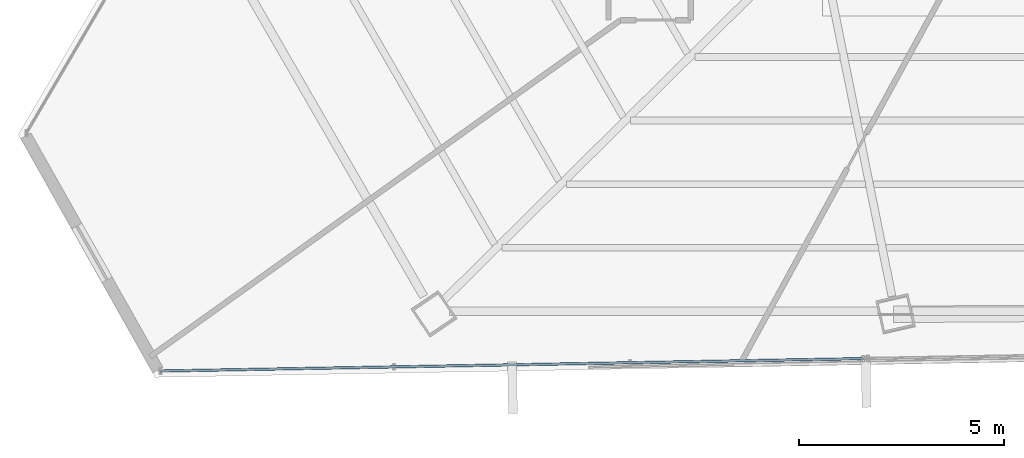
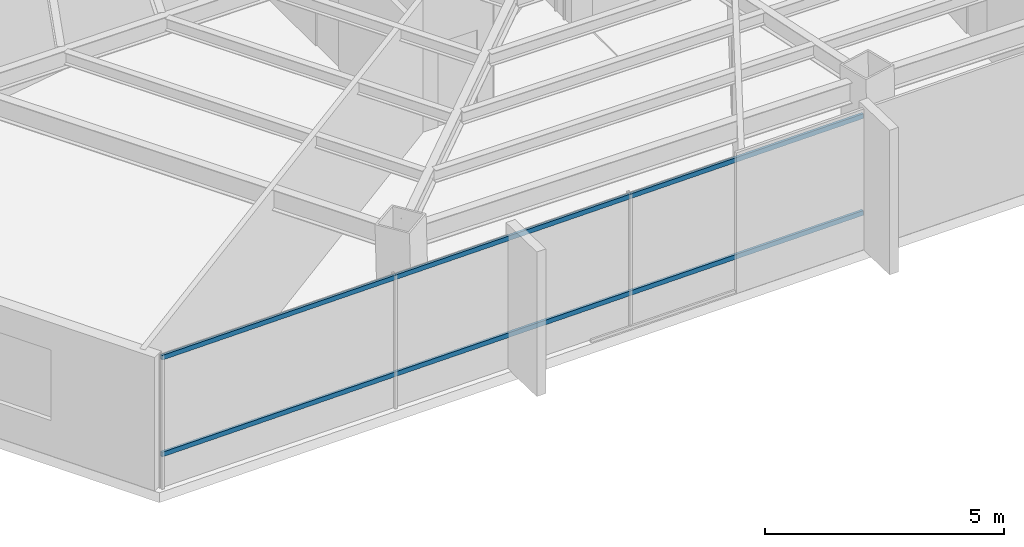
# One storey, part 5 of 42: 2 members, 1 element without a shape of its own.
"""IFC4 building model written with IfcOpenShell, lengths in metres."""

import ifcopenshell
import ifcopenshell.guid

model = None  # the IFC model being written
_history = None  # IfcOwnerHistory: only IFC2X3 demands one
_inside = {}  # id of a spatial element -> (the spatial element, [elements in it])
_under = {}  # id of a project, library or spatial element -> (it, [spatial elements below it])
_declared = {}  # id of a project -> (the project, [libraries it declares])
_typed = {}  # id of a type object -> (the type object, [elements of that type])
_made_of = {}  # id of a material, layer set ... -> (it, [elements and type objects made of it])


def new_model(schema):
    """Start an empty IFC model of exactly this schema.

    Asked for "IFC4X3", IfcOpenShell would pick the latest addendum, in which some entities
    have other attributes; the version numbers below select the first issue.
    IFC2X3 requires an IfcOwnerHistory on every rooted entity: one is made here for all.
    """
    global model, _history
    if schema == "IFC4X3":
        model = ifcopenshell.file(schema_version=(4, 3, 0, 0))
    else:
        model = ifcopenshell.file(schema=schema)
    _inside.clear()
    _under.clear()
    _declared.clear()
    _typed.clear()
    _made_of.clear()
    _history = None
    if model.schema == "IFC2X3":
        org = make("IfcOrganization", Name="unknown")
        user = make(
            "IfcPersonAndOrganization",
            ThePerson=make("IfcPerson", FamilyName="unknown"),
            TheOrganization=org,
        )
        app = make(
            "IfcApplication",
            ApplicationDeveloper=org,
            Version="unknown",
            ApplicationFullName="unknown",
            ApplicationIdentifier="unknown",
        )
        _history = make(
            "IfcOwnerHistory",
            OwningUser=user,
            OwningApplication=app,
            ChangeAction="ADDED",
            CreationDate=0,
        )
    return model


def make(cls, **values):
    """One entity of the class cls with the attributes given. An attribute that is None is left unset."""
    return model.create_entity(
        cls, **{name: value for name, value in values.items() if value is not None}
    )


def rooted(cls, **values):
    """An entity with a GlobalId (a new one), such as an element, a storey or a relation."""
    return make(cls, GlobalId=ifcopenshell.guid.new(), OwnerHistory=_history, **values)


def si_unit(unit_type, name, prefix=None):
    """IfcSIUnit, for example si_unit("LENGTHUNIT", "METRE", prefix="MILLI")."""
    return make("IfcSIUnit", UnitType=unit_type, Prefix=prefix, Name=name)


def assignment(units):
    """IfcUnitAssignment: the units of a project."""
    return None if units is None else make("IfcUnitAssignment", Units=units)


def point(xyz):
    """IfcCartesianPoint."""
    return None if xyz is None else make("IfcCartesianPoint", Coordinates=xyz)


def direction(xyz):
    """IfcDirection."""
    return None if xyz is None else make("IfcDirection", DirectionRatios=xyz)


def frame(location, z_axis=None, x_axis=None):
    """IfcAxis2Placement3D, a coordinate frame: its origin and axes. An axis left out is left unset."""
    return make(
        "IfcAxis2Placement3D",
        Location=point(location),
        Axis=direction(z_axis),
        RefDirection=direction(x_axis),
    )


def frame_2d(location, x_axis=None):
    """IfcAxis2Placement2D, a coordinate frame in the plane: its origin and x axis."""
    return make(
        "IfcAxis2Placement2D", Location=point(location), RefDirection=direction(x_axis)
    )


def origin():
    """The frame at (0, 0, 0) with its axes left unset."""
    return frame((0.0, 0.0, 0.0))


def origin_2d():
    """The frame at (0, 0) in the plane with its x axis left unset."""
    return frame_2d((0.0, 0.0))


def place(relative_to, where):
    """IfcLocalPlacement: puts the frame where relative to a parent placement (None: the world)."""
    return make(
        "IfcLocalPlacement", PlacementRelTo=relative_to, RelativePlacement=where
    )


def context(
    kind, dimensions, precision=None, world=None, true_north=None, identifier=None
):
    """IfcGeometricRepresentationContext, for example the 3D "Model" context."""
    return make(
        "IfcGeometricRepresentationContext",
        ContextIdentifier=identifier,
        ContextType=kind,
        CoordinateSpaceDimension=dimensions,
        Precision=precision,
        WorldCoordinateSystem=world,
        TrueNorth=true_north,
    )


def subcontext(parent, identifier, kind, view, scale=None):
    """IfcGeometricRepresentationSubContext, for example "Body" below "Model"."""
    return make(
        "IfcGeometricRepresentationSubContext",
        ContextIdentifier=identifier,
        ContextType=kind,
        ParentContext=parent,
        TargetScale=scale,
        TargetView=view,
    )


def project(units=None, contexts=None):
    """IfcProject with its units and contexts."""
    return rooted(
        "IfcProject",
        Name="project",
        RepresentationContexts=contexts,
        UnitsInContext=assignment(units),
    )


def spatial(cls, under=None, at=None, **own):
    """A site, building, storey or space (cls), placed at a placement, below another one or the project."""
    s = rooted(cls, ObjectPlacement=at, **own)
    if under is not None:
        _under.setdefault(under.id(), (under, []))[1].append(s)
    return s


def profile(cls, at=None, kind="AREA", **sizes):
    """A parametric profile (cls). Its sizes go by their IFC names, for example OverallWidth=200.0."""
    return make(cls, ProfileType=kind, Position=at, **sizes)


def hollow_rectangle(**sizes):
    """IfcRectangleHollowProfileDef."""
    return profile("IfcRectangleHollowProfileDef", **sizes)


def extrude(swept, where, along, depth):
    """IfcExtrudedAreaSolid: the profile swept, set in the frame where, extruded along a direction by depth."""
    return make(
        "IfcExtrudedAreaSolid",
        SweptArea=swept,
        Position=where,
        ExtrudedDirection=direction(along),
        Depth=depth,
    )


def shape(context_of_items, identifier, shape_type, items):
    """IfcShapeRepresentation: the items that make up one representation, for example the "Body"."""
    return make(
        "IfcShapeRepresentation",
        ContextOfItems=context_of_items,
        RepresentationIdentifier=identifier,
        RepresentationType=shape_type,
        Items=items,
    )


def source(mapping_origin, context_of_items, identifier, shape_type, items):
    """IfcRepresentationMap: a shape defined once, which mapped items show again and again."""
    return make(
        "IfcRepresentationMap",
        MappingOrigin=mapping_origin,
        MappedRepresentation=shape(context_of_items, identifier, shape_type, items),
    )


def transform(
    local_origin,
    x_axis=None,
    y_axis=None,
    z_axis=None,
    scale=None,
    scale2=None,
    scale3=None,
    uniform=True,
):
    """IfcCartesianTransformationOperator3D, or its non-uniform kind. x_axis, y_axis, z_axis: its Axis1, 2, 3."""
    if uniform:
        return make(
            "IfcCartesianTransformationOperator3D",
            Axis1=direction(x_axis),
            Axis2=direction(y_axis),
            LocalOrigin=point(local_origin),
            Scale=scale,
            Axis3=direction(z_axis),
        )
    return make(
        "IfcCartesianTransformationOperator3DnonUniform",
        Axis1=direction(x_axis),
        Axis2=direction(y_axis),
        LocalOrigin=point(local_origin),
        Scale=scale,
        Axis3=direction(z_axis),
        Scale2=scale2,
        Scale3=scale3,
    )


def mapped(mapping_source, mapping_target):
    """IfcMappedItem: shows the shape of a source again, moved by a transform."""
    return make(
        "IfcMappedItem", MappingSource=mapping_source, MappingTarget=mapping_target
    )


def material(Name=None, Category=None):
    """IfcMaterial."""
    return make("IfcMaterial", Name=Name, Category=Category)


def material_profile(
    of_material, cross_section, Name=None, Category=None, Priority=None
):
    """IfcMaterialProfile: a cross section and its material."""
    return make(
        "IfcMaterialProfile",
        Name=Name,
        Material=of_material,
        Profile=cross_section,
        Priority=Priority,
        Category=Category,
    )


def profile_set(profiles, Name=None, composite=None):
    """IfcMaterialProfileSet."""
    return make(
        "IfcMaterialProfileSet",
        Name=Name,
        MaterialProfiles=profiles,
        CompositeProfile=composite,
    )


def made_of(thing, what):
    """Note that an element or type object is made of a material, layer set ...; save() writes the relation."""
    if what is not None:
        _made_of.setdefault(what.id(), (what, []))[1].append(thing)
    return thing


def type_object(cls, material=None, **own):
    """A type object (cls), such as IfcWallType, which elements share."""
    return made_of(rooted(cls, **own), material)


def type_shapes(of_type, sources):
    """Give a type object the sources (RepresentationMaps) that its elements show as mapped items."""
    of_type.RepresentationMaps = sources


def element(
    cls,
    number,
    at=None,
    inside=None,
    cuts=None,
    type_object=None,
    material=None,
    context=None,
    identifier="Body",
    shape_type=None,
    held_by="IfcProductDefinitionShape",
    body=None,
    shapes=None,
    **own,
):
    """One element of the class cls, such as IfcWall. Its Tag is "e" and its number.

    at: its placement. inside: the storey or other place that contains it. cuts: it is an
    opening in that element (IfcRelVoidsElement). A single representation is given by context,
    identifier, shape_type and body (its items); several are given by shapes. held_by: the class
    of the entity that holds the representations. save() writes the other relations.
    """
    e = rooted(cls, Tag="e%d" % number, ObjectPlacement=at, **own)
    if body is not None:
        shapes = [shape(context, identifier, shape_type, body)]
    if shapes is not None:
        e.Representation = make(held_by, Representations=shapes)
    if inside is not None:
        _inside.setdefault(inside.id(), (inside, []))[1].append(e)
    if cuts is not None:
        rooted(
            "IfcRelVoidsElement", RelatingBuildingElement=cuts, RelatedOpeningElement=e
        )
    if type_object is not None:
        _typed.setdefault(type_object.id(), (type_object, []))[1].append(e)
    return made_of(e, material)


def aggregate(whole, parts):
    """IfcRelAggregates: a whole, such as a stair, and the parts it consists of."""
    return rooted("IfcRelAggregates", RelatingObject=whole, RelatedObjects=parts)


def save(model, path):
    """Write the relations noted so far, then the file.

    IfcRelAggregates (storeys below a building ...), IfcRelContainedInSpatialStructure (elements
    in a storey), IfcRelDefinesByType, IfcRelAssociatesMaterial and IfcRelDeclares: one each for
    every whole, place, type object, material and project.
    """
    for whole, parts in _under.values():
        aggregate(whole, parts)
    for where, things in _inside.values():
        rooted(
            "IfcRelContainedInSpatialStructure",
            RelatedElements=things,
            RelatingStructure=where,
        )
    for kind, things in _typed.values():
        rooted("IfcRelDefinesByType", RelatedObjects=things, RelatingType=kind)
    for what, things in _made_of.values():
        rooted("IfcRelAssociatesMaterial", RelatedObjects=things, RelatingMaterial=what)
    for by, libraries in _declared.values():
        rooted("IfcRelDeclares", RelatingContext=by, RelatedDefinitions=libraries)
    model.write(path)


model = new_model("IFC4")

# Units and contexts
model_context = context("Model", 3, precision=1e-05, world=origin(), true_north=direction((0.0, 1.0)))
body_context = subcontext(model_context, "Body", "Model", "MODEL_VIEW")
ifc_project = project(units=[si_unit("LENGTHUNIT", "METRE"), si_unit("AREAUNIT", "SQUARE_METRE"), si_unit("VOLUMEUNIT", "CUBIC_METRE"), si_unit("PLANEANGLEUNIT", "RADIAN"), si_unit("MASSUNIT", "GRAM", prefix="KILO")], contexts=[model_context])

# Site, building, storey
site_placement = place(None, origin())
site = spatial("IfcSite", under=ifc_project, at=site_placement, CompositionType="ELEMENT")
building_placement = place(site_placement, origin())
building = spatial("IfcBuilding", under=site, at=building_placement, Name="Caelisora Broadcast Tower", CompositionType="ELEMENT")
storey_placement = place(building_placement, frame((0.0, 0.0, 191.35009765625)))
storey = spatial("IfcBuildingStorey", under=building, at=storey_placement, Name="L50", CompositionType="ELEMENT", Elevation=191.35009765625)

# Curtain wall, members
ifc_material_1 = material(Name="Unitised Aluminium and Low-E Glass Curtain Wall", Category="glass")
curtain_wall_type = type_object("IfcCurtainWallType", Name="CW-Z4", PredefinedType="NOTDEFINED", material=ifc_material_1)
curtain_wall_placement = place(storey_placement, origin())
curtain_wall = element("IfcCurtainWall", 1, at=curtain_wall_placement, inside=storey, type_object=curtain_wall_type, Name="L50 curtain wall CW-Z4", PredefinedType="NOTDEFINED")
ifc_material_2 = material(Name="Aluminium 6063-T6 Anodised Terracotta Bronze", Category="aluminium")
ifc_material_profile = material_profile(ifc_material_2, hollow_rectangle(XDim=0.06005859375, YDim=0.1201171875, WallThickness=0.0029296875, at=origin_2d()), Name="Aluminium 6063-T6 Anodised Terracotta Bronze")
ifc_profile_set = profile_set([ifc_material_profile], Name="Aluminium 6063-T6 Anodised Terracotta Bronze")
member_type = type_object("IfcMemberType", Name="CWT-03", PredefinedType="USERDEFINED", material=ifc_profile_set)
shared_shape = source(origin(), body_context, "Body", "SweptSolid", [
    extrude(hollow_rectangle(XDim=0.06005859375, YDim=0.1201171875, WallThickness=0.0029296875, at=origin_2d()), origin(), (0.0, 0.0, 1.0), 17.10302734375),
])
type_shapes(member_type, [shared_shape])
member_1_placement = place(storey_placement, frame((31.601318359375, 6.966064453125, 0.849853515625), z_axis=(-0.999843836306, -0.017672096703, 0.0), x_axis=(0.017672096703, -0.999843836306, 0.0)))
member_1 = element("IfcMember", 2, at=member_1_placement, type_object=member_type, Name="L50-CW-B07 transom #1", ObjectType="TRANSOM", PredefinedType="USERDEFINED", context=body_context, shape_type="MappedRepresentation", body=[
    mapped(shared_shape, transform((0.0, 0.0, 0.0), scale=1.0)),
])
member_2_placement = place(storey_placement, frame((31.601318359375, 6.966064453125, 3.31982421875), z_axis=(-0.999843836306, -0.017672096703, 0.0), x_axis=(0.017672096703, -0.999843836306, 0.0)))
member_2 = element("IfcMember", 3, at=member_2_placement, type_object=member_type, Name="L50-CW-B07 transom #2", ObjectType="TRANSOM", PredefinedType="USERDEFINED", context=body_context, shape_type="MappedRepresentation", body=[
    mapped(shared_shape, transform((0.0, 0.0, 0.0), scale=1.0)),
])
aggregate(curtain_wall, [member_1, member_2])

save(model, "model.ifc")
